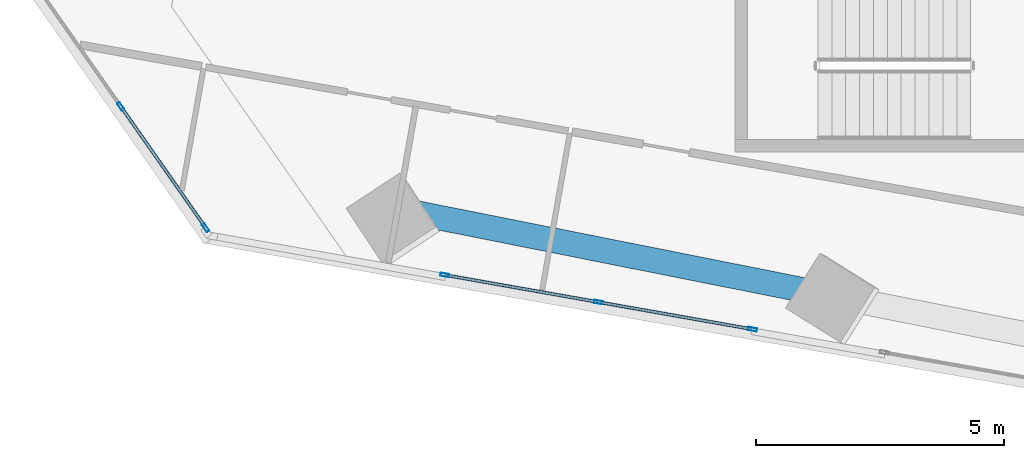
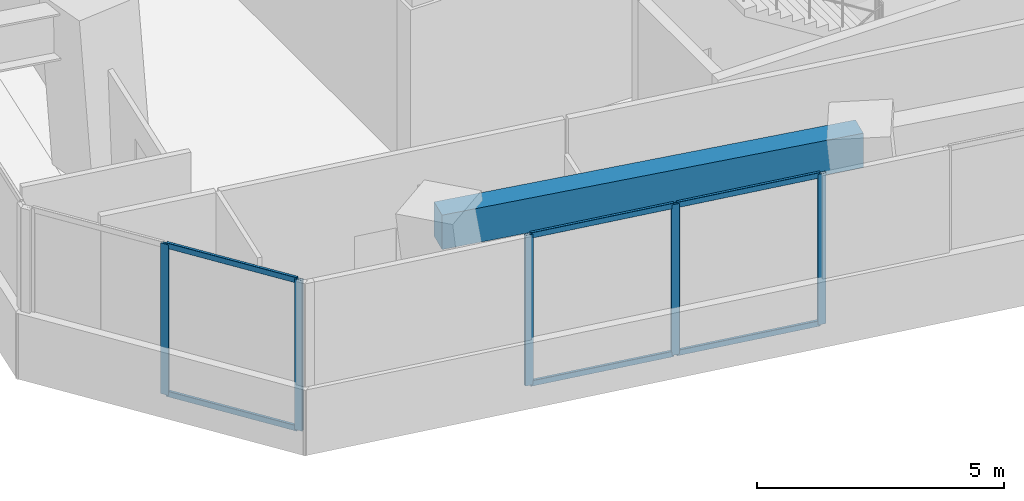
# One storey, part 2 of 24: 11 members, 1 beam, 2 elements without a shape of their own.
"""IFC4 building model written with IfcOpenShell, lengths in metres."""

from ifc_helpers import new_model, si_unit, direction, frame, origin, origin_2d, place, context, subcontext, project, spatial, rectangle, hollow_rectangle, extrude, source, transform, mapped, material, material_profile, profile_set, type_object, element, aggregate, save


model = new_model("IFC4")

# Units and contexts
model_context = context("Model", 3, precision=1e-05, world=origin(), true_north=direction((0.0, 1.0)))
body_context = subcontext(model_context, "Body", "Model", "MODEL_VIEW")
ifc_project = project(units=[si_unit("LENGTHUNIT", "METRE"), si_unit("AREAUNIT", "SQUARE_METRE"), si_unit("VOLUMEUNIT", "CUBIC_METRE"), si_unit("PLANEANGLEUNIT", "RADIAN"), si_unit("MASSUNIT", "GRAM", prefix="KILO")], contexts=[model_context])

# Site, building, storey
site_placement = place(None, origin())
site = spatial("IfcSite", under=ifc_project, at=site_placement, CompositionType="ELEMENT")
building_placement = place(site_placement, origin())
building = spatial("IfcBuilding", under=site, at=building_placement, Name="Torre Montelarca", CompositionType="ELEMENT")
storey_placement = place(building_placement, frame((0.0, 0.0, 79.0)))
storey = spatial("IfcBuildingStorey", under=building, at=storey_placement, Name="L17", CompositionType="ELEMENT", Elevation=79.0)

# Beam
ifc_material_1 = material(Name="Concrete C55/67", Category="concrete")
ifc_material_profile_1 = material_profile(ifc_material_1, rectangle(XDim=0.5, YDim=0.85009765625, at=origin_2d()), Name="RCB500X850", Category="concrete")
ifc_profile_set_1 = profile_set([ifc_material_profile_1], Name="Concrete C55/67")
beam_type = type_object("IfcBeamType", Name="BM-SP-RC850-EXT", PredefinedType="SPANDREL", material=ifc_profile_set_1)
shared_shape_1 = source(origin(), body_context, "Body", "SweptSolid", [
    extrude(rectangle(XDim=0.5, YDim=0.85009765625, at=origin_2d()), origin(), (0.0, 0.0, 1.0), 9.0),
])
beam_placement = place(storey_placement, frame((5.884521484375, 17.569091796875, 3.534912109375), z_axis=(0.980784634475, -0.195093569287, 0.0), x_axis=(0.195093569287, 0.980784634475, 0.0)))
element("IfcBeam", 1, at=beam_placement, inside=storey, type_object=beam_type, Name="L17 Grid Girder X 9.0-18.0 at Y=14.8", PredefinedType="SPANDREL", context=body_context, shape_type="MappedRepresentation", body=[
    mapped(shared_shape_1, transform((0.0, 0.0, 0.0), scale=1.0)),
])

# Curtain wall, members
ifc_material_2 = material(Name="Insulated low-E laminated glass", Category="glass")
curtain_wall_type = type_object("IfcCurtainWallType", Name="CW-SYS-Z1", PredefinedType="USERDEFINED", material=ifc_material_2)
curtain_wall_1_placement = place(storey_placement, origin())
curtain_wall_1 = element("IfcCurtainWall", 2, at=curtain_wall_1_placement, inside=storey, type_object=curtain_wall_type, Name="L17 Curtain Wall Run CW-T3-L17-E11-B1", ObjectType="UNITISED GLAZING", PredefinedType="USERDEFINED")
ifc_material_3 = material(Name="Anodised aluminium AA 6063-T6", Category="aluminium")
ifc_material_profile_2 = material_profile(ifc_material_3, hollow_rectangle(XDim=0.06494140625, YDim=0.139892578125, WallThickness=0.00390625, InnerFilletRadius=0.00390625, OuterFilletRadius=0.008056640625, at=origin_2d()), Name="ALU65X140X4", Category="aluminium")
ifc_profile_set_2 = profile_set([ifc_material_profile_2], Name="Anodised aluminium AA 6063-T6")
member_type_1 = type_object("IfcMemberType", Name="CWT-ALU140", PredefinedType="USERDEFINED", material=ifc_profile_set_2)
shared_shape_2 = source(origin(), body_context, "Body", "SweptSolid", [
    extrude(hollow_rectangle(XDim=0.06494140625, YDim=0.139892578125, WallThickness=0.00390625, InnerFilletRadius=0.00390625, OuterFilletRadius=0.008056640625, at=origin_2d()), origin(), (0.0, 0.0, 1.0), 2.91845703125),
])
member_1_placement = place(storey_placement, frame((0.685791015625, 19.544189453125, 0.032470703125), z_axis=(0.573512870865, -0.819196549646, 0.0), x_axis=(0.819196549646, 0.573512870865, 0.0)))
member_1 = element("IfcMember", 3, at=member_1_placement, type_object=member_type_1, Name="CW transom 2.1", ObjectType="TRANSOM", PredefinedType="USERDEFINED", context=body_context, shape_type="MappedRepresentation", body=[
    mapped(shared_shape_2, transform((0.0, 0.0, 0.0), scale=1.0)),
])
member_2_placement = place(storey_placement, frame((0.685791015625, 19.544189453125, 3.6875), z_axis=(0.573512870865, -0.819196549646, 0.0), x_axis=(0.819196549646, 0.573512870865, 0.0)))
member_2 = element("IfcMember", 4, at=member_2_placement, type_object=member_type_1, Name="CW transom 2.2", ObjectType="TRANSOM", PredefinedType="USERDEFINED", context=body_context, shape_type="MappedRepresentation", body=[
    mapped(shared_shape_2, transform((0.0, 0.0, 0.0), scale=1.0)),
])

curtain_wall_2_placement = place(storey_placement, origin())
curtain_wall_2 = element("IfcCurtainWall", 5, at=curtain_wall_2_placement, inside=storey, type_object=curtain_wall_type, Name="L17 Curtain Wall Run CW-T3-L17-E01-B1", ObjectType="UNITISED GLAZING", PredefinedType="USERDEFINED")
shared_shape_3 = source(origin(), body_context, "Body", "SweptSolid", [
    extrude(hollow_rectangle(XDim=0.06494140625, YDim=0.139892578125, WallThickness=0.00390625, InnerFilletRadius=0.00390625, OuterFilletRadius=0.008056640625, at=origin_2d()), origin(), (0.0, 0.0, 1.0), 3.08544921875),
])
member_3_placement = place(storey_placement, frame((10.331298828125, 15.62060546875, 0.032470703125), z_axis=(0.98480187446, -0.173681513293, 0.0), x_axis=(0.173681513293, 0.98480187446, 0.0)))
member_3 = element("IfcMember", 6, at=member_3_placement, type_object=member_type_1, Name="CW transom 2.1", ObjectType="TRANSOM", PredefinedType="USERDEFINED", context=body_context, shape_type="MappedRepresentation", body=[
    mapped(shared_shape_3, transform((0.0, 0.0, 0.0), scale=1.0)),
])
member_4_placement = place(storey_placement, frame((10.331298828125, 15.62060546875, 3.6875), z_axis=(0.98480187446, -0.173681513293, 0.0), x_axis=(0.173681513293, 0.98480187446, 0.0)))
member_4 = element("IfcMember", 7, at=member_4_placement, type_object=member_type_1, Name="CW transom 2.2", ObjectType="TRANSOM", PredefinedType="USERDEFINED", context=body_context, shape_type="MappedRepresentation", body=[
    mapped(shared_shape_3, transform((0.0, 0.0, 0.0), scale=1.0)),
])
shared_shape_4 = source(origin(), body_context, "Body", "SweptSolid", [
    extrude(hollow_rectangle(XDim=0.06494140625, YDim=0.139892578125, WallThickness=0.00390625, InnerFilletRadius=0.00390625, OuterFilletRadius=0.008056640625, at=origin_2d()), origin(), (0.0, 0.0, 1.0), 3.085205078125),
])
member_5_placement = place(storey_placement, frame((7.22900390625, 16.167724609375, 0.032470703125), z_axis=(0.984799487325, -0.173695048186, 0.0), x_axis=(0.173695048186, 0.984799487325, 0.0)))
member_5 = element("IfcMember", 8, at=member_5_placement, type_object=member_type_1, Name="CW transom 1.1", ObjectType="TRANSOM", PredefinedType="USERDEFINED", context=body_context, shape_type="MappedRepresentation", body=[
    mapped(shared_shape_4, transform((0.0, 0.0, 0.0), scale=1.0)),
])
member_6_placement = place(storey_placement, frame((7.22900390625, 16.167724609375, 3.6875), z_axis=(0.984799487325, -0.173695048186, 0.0), x_axis=(0.173695048186, 0.984799487325, 0.0)))
member_6 = element("IfcMember", 9, at=member_6_placement, type_object=member_type_1, Name="CW transom 1.2", ObjectType="TRANSOM", PredefinedType="USERDEFINED", context=body_context, shape_type="MappedRepresentation", body=[
    mapped(shared_shape_4, transform((0.0, 0.0, 0.0), scale=1.0)),
])
ifc_material_profile_3 = material_profile(ifc_material_3, hollow_rectangle(XDim=0.06494140625, YDim=0.179931640625, WallThickness=0.00390625, InnerFilletRadius=0.00390625, OuterFilletRadius=0.008056640625, at=origin_2d()), Name="ALU65X180X4", Category="aluminium")
ifc_profile_set_3 = profile_set([ifc_material_profile_3], Name="Anodised aluminium AA 6063-T6")
member_type_2 = type_object("IfcMemberType", Name="CWM-ALU180", PredefinedType="MULLION", material=ifc_profile_set_3)
shared_shape_5 = source(origin(), body_context, "Body", "SweptSolid", [
    extrude(hollow_rectangle(XDim=0.06494140625, YDim=0.179931640625, WallThickness=0.00390625, InnerFilletRadius=0.00390625, OuterFilletRadius=0.008056640625, at=origin_2d()), origin(), (0.0, 0.0, 1.0), 3.719970703125),
])
member_7_placement = place(storey_placement, frame((7.197021484375, 16.17333984375, 0.0), z_axis=(0.0, 0.0, 1.0), x_axis=(0.173654488907, 0.984806640149, 0.0)))
member_7 = element("IfcMember", 10, at=member_7_placement, type_object=member_type_2, Name="CW mullion 1", PredefinedType="MULLION", context=body_context, shape_type="MappedRepresentation", body=[
    mapped(shared_shape_5, transform((0.0, 0.0, 0.0), scale=1.0)),
])
member_8_placement = place(storey_placement, frame((10.29931640625, 15.626220703125, 0.0), z_axis=(0.0, 0.0, 1.0), x_axis=(0.173654488907, 0.984806640149, 0.0)))
member_8 = element("IfcMember", 11, at=member_8_placement, type_object=member_type_2, Name="CW mullion 2", PredefinedType="MULLION", context=body_context, shape_type="MappedRepresentation", body=[
    mapped(shared_shape_5, transform((0.0, 0.0, 0.0), scale=1.0)),
])
member_9_placement = place(storey_placement, frame((13.40185546875, 15.0791015625, 0.0), z_axis=(0.0, 0.0, 1.0), x_axis=(0.173654488907, 0.984806640149, 0.0)))
member_9 = element("IfcMember", 12, at=member_9_placement, type_object=member_type_2, Name="CW mullion 3", PredefinedType="MULLION", context=body_context, shape_type="MappedRepresentation", body=[
    mapped(shared_shape_5, transform((0.0, 0.0, 0.0), scale=1.0)),
])
aggregate(curtain_wall_2, [member_7, member_8, member_9, member_5, member_6, member_3, member_4])

# Member
member_10_placement = place(storey_placement, frame((0.6669921875, 19.57080078125, 0.0), z_axis=(0.0, 0.0, 1.0), x_axis=(0.819173505874, 0.573545784811, 0.0)))
member_10 = element("IfcMember", 13, at=member_10_placement, type_object=member_type_2, Name="CW mullion 2", PredefinedType="MULLION", context=body_context, shape_type="MappedRepresentation", body=[
    mapped(shared_shape_5, transform((0.0, 0.0, 0.0), scale=1.0)),
])

member_11_placement = place(storey_placement, frame((2.37841796875, 17.126708984375, 0.0), z_axis=(0.0, 0.0, 1.0), x_axis=(0.819173505874, 0.573545784811, 0.0)))
member_11 = element("IfcMember", 14, at=member_11_placement, type_object=member_type_2, Name="CW mullion 3", PredefinedType="MULLION", context=body_context, shape_type="MappedRepresentation", body=[
    mapped(shared_shape_5, transform((0.0, 0.0, 0.0), scale=1.0)),
])

aggregate(curtain_wall_1, [member_10, member_11, member_1, member_2])

save(model, "model.ifc")
